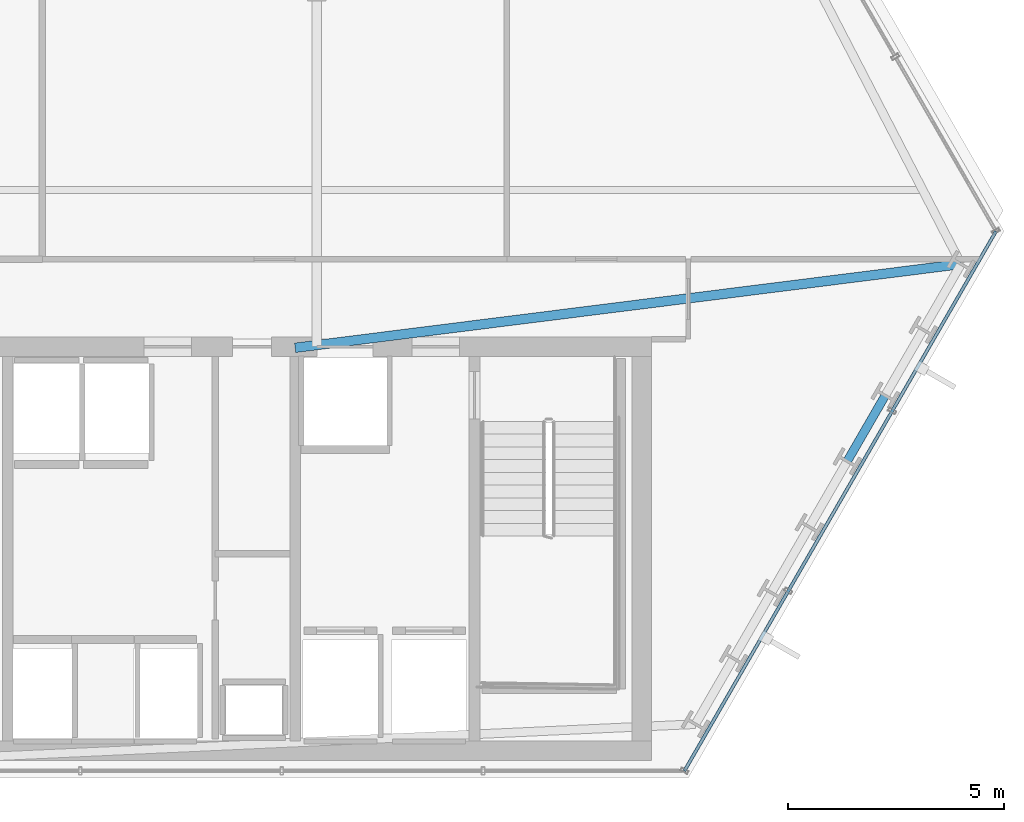
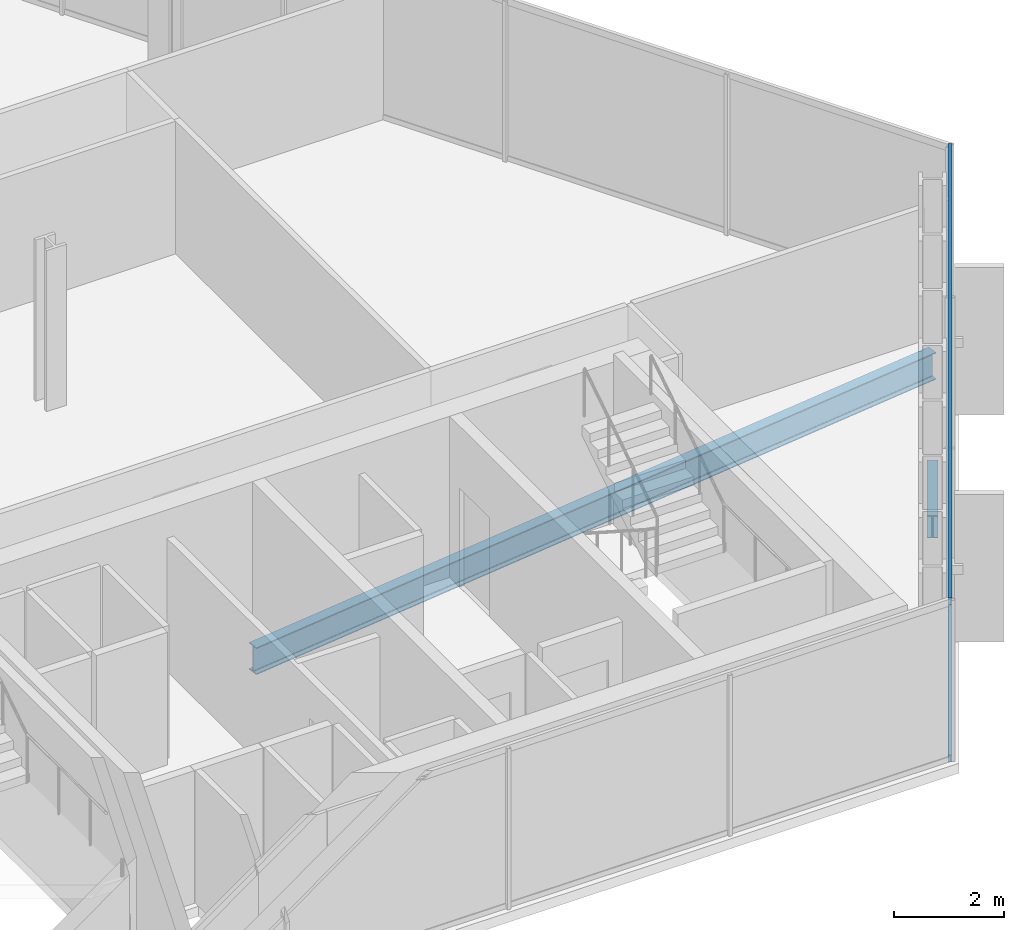
# One storey, part 17 of 33: 2 beams, 2 members, 1 element without a shape of its own.
"""IFC4 building model written with IfcOpenShell, lengths in metres."""

from ifc_helpers import new_model, si_unit, direction, frame, origin, origin_2d, place, context, subcontext, project, spatial, hollow_rectangle, i_section, extrude, material, layer, layer_set, material_profile, profile_set, type_object, element, aggregate, save


model = new_model("IFC4")

# Units and contexts
model_context = context("Model", 3, precision=1e-05, world=origin(), true_north=direction((0.0, 1.0)))
body_context = subcontext(model_context, "Body", "Model", "MODEL_VIEW")
ifc_project = project(units=[si_unit("LENGTHUNIT", "METRE"), si_unit("AREAUNIT", "SQUARE_METRE"), si_unit("VOLUMEUNIT", "CUBIC_METRE"), si_unit("PLANEANGLEUNIT", "RADIAN"), si_unit("MASSUNIT", "GRAM", prefix="KILO")], contexts=[model_context])

# Site, building, storey
site_placement = place(None, origin())
site = spatial("IfcSite", under=ifc_project, at=site_placement, CompositionType="ELEMENT")
building_placement = place(site_placement, origin())
building = spatial("IfcBuilding", under=site, at=building_placement, Name="Ndaravel Arena Tower", CompositionType="ELEMENT")
storey_placement = place(building_placement, frame((0.0, 0.0, 81.60009765625)))
storey = spatial("IfcBuildingStorey", under=building, at=storey_placement, Name="L18", CompositionType="ELEMENT", Elevation=81.60009765625)

# Beams
ifc_material_1 = material(Name="Steel S355", Category="steel")
ifc_material_profile_1 = material_profile(ifc_material_1, i_section(OverallWidth=0.219970703125, OverallDepth=0.60009765625, WebThickness=0.011962890625, FlangeThickness=0.01904296875, FilletRadius=0.02392578125, at=origin_2d()), Name="IPE 600")
ifc_profile_set_1 = profile_set([ifc_material_profile_1], Name="Steel S355")
beam_type_1 = type_object("IfcBeamType", Name="BM-GIRD-IPE600", PredefinedType="BEAM", material=ifc_profile_set_1)
beam_1_placement = place(storey_placement, frame((64.710205078125, 16.887451171875, -0.52001953125), z_axis=(-0.9921886271, -0.124746656284, 0.0), x_axis=(0.124746656284, -0.9921886271, 0.0)))
element("IfcBeam", 1, at=beam_1_placement, inside=storey, type_object=beam_type_1, Name="L18 Radial Floor Girder FG-09", PredefinedType="BEAM", context=body_context, shape_type="SweptSolid", body=[
    extrude(i_section(OverallWidth=0.219970703125, OverallDepth=0.60009765625, WebThickness=0.011962890625, FlangeThickness=0.01904296875, FilletRadius=0.02392578125, at=origin_2d()), origin(), (0.0, 0.0, 1.0), 15.531494140625),
])
ifc_material_2 = material(Name="Steel S355", Category="steel")
ifc_material_profile_2 = material_profile(ifc_material_2, i_section(OverallWidth=0.199951171875, OverallDepth=0.5, WebThickness=0.01025390625, FlangeThickness=0.01611328125, FilletRadius=0.02099609375, at=origin_2d()), Name="IPE 500")
ifc_profile_set_2 = profile_set([ifc_material_profile_2], Name="Steel S355")
beam_type_2 = type_object("IfcBeamType", Name="BM-SPAN-IPE500", PredefinedType="SPANDREL", material=ifc_profile_set_2)
beam_2_placement = place(storey_placement, frame((62.07568359375, 12.324462890625, -0.47021484375), z_axis=(0.500115484592, 0.865958718457, 0.0), x_axis=(-0.865958718457, 0.500115484592, 0.0)))
element("IfcBeam", 2, at=beam_2_placement, inside=storey, type_object=beam_type_2, Name="L18 Perimeter Spandrel Beam SP-06", PredefinedType="SPANDREL", context=body_context, shape_type="SweptSolid", body=[
    extrude(i_section(OverallWidth=0.199951171875, OverallDepth=0.5, WebThickness=0.01025390625, FlangeThickness=0.01611328125, FilletRadius=0.02099609375, at=origin_2d()), origin(), (0.0, 0.0, 1.0), 1.75634765625),
])

# Curtain wall, members
ifc_material_3 = material(Name="Aluminium", Category="aluminium")
ifc_layer = layer(ifc_material_3, 0.179931640625)
ifc_layer_set = layer_set([ifc_layer], Name="Aluminium")
curtain_wall_type = type_object("IfcCurtainWallType", Name="CW-SYS-01", PredefinedType="NOTDEFINED", material=ifc_layer_set)
curtain_wall_placement = place(storey_placement, origin())
curtain_wall = element("IfcCurtainWall", 3, at=curtain_wall_placement, inside=storey, type_object=curtain_wall_type, Name="L18 Faceted Crystal Curtain Wall CW-L18-E02", PredefinedType="NOTDEFINED")
ifc_material_4 = material(Name="Aluminium", Category="aluminium")
ifc_material_profile_3 = material_profile(ifc_material_4, hollow_rectangle(XDim=0.074951171875, YDim=0.14990234375, WallThickness=0.00390625, at=origin_2d()), Name="CW TRANSOM 75x150x4")
ifc_profile_set_3 = profile_set([ifc_material_profile_3], Name="Aluminium")
member_type = type_object("IfcMemberType", Name="MEM-CW-TRN150", PredefinedType="USERDEFINED", material=ifc_profile_set_3)
member_1_placement = place(storey_placement, frame((58.308837890625, 5.159912109375, 0.039794921875), z_axis=(0.499999446118, 0.866025723568, 0.0), x_axis=(-0.866025723568, 0.499999446118, 0.0)))
member_1 = element("IfcMember", 4, at=member_1_placement, type_object=member_type, Name="CW-L18-E02 Transom 01", ObjectType="TRANSOM", PredefinedType="USERDEFINED", context=body_context, shape_type="SweptSolid", body=[
    extrude(hollow_rectangle(XDim=0.074951171875, YDim=0.14990234375, WallThickness=0.00390625, at=origin_2d()), origin(), (0.0, 0.0, 1.0), 14.419921875),
])
member_2_placement = place(storey_placement, frame((58.308837890625, 5.159912109375, 3.539794921875), z_axis=(0.499999446118, 0.866025723568, 0.0), x_axis=(-0.866025723568, 0.499999446118, 0.0)))
member_2 = element("IfcMember", 5, at=member_2_placement, type_object=member_type, Name="CW-L18-E02 Transom 02", ObjectType="TRANSOM", PredefinedType="USERDEFINED", context=body_context, shape_type="SweptSolid", body=[
    extrude(hollow_rectangle(XDim=0.074951171875, YDim=0.14990234375, WallThickness=0.00390625, at=origin_2d()), origin(), (0.0, 0.0, 1.0), 14.419921875),
])
aggregate(curtain_wall, [member_1, member_2])

save(model, "model.ifc")
